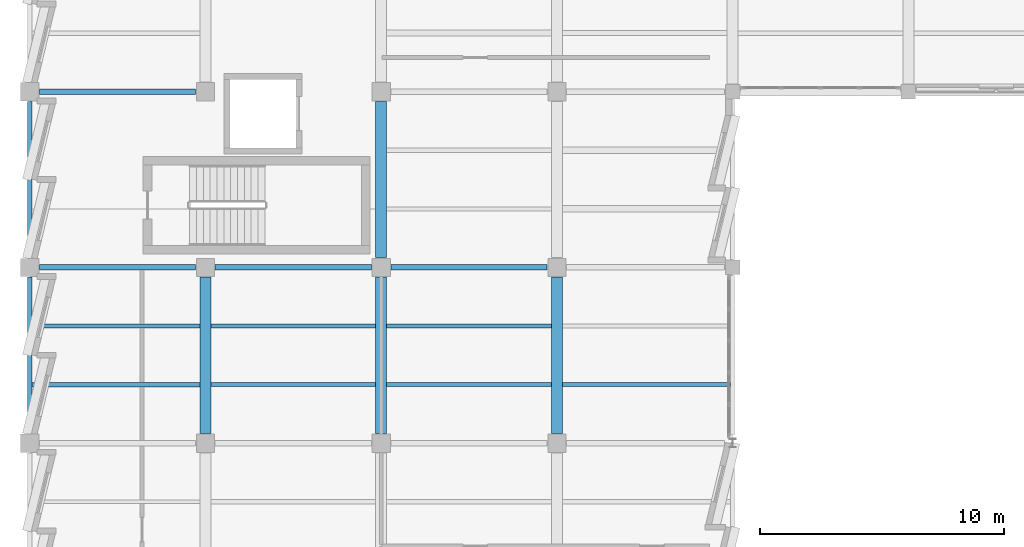
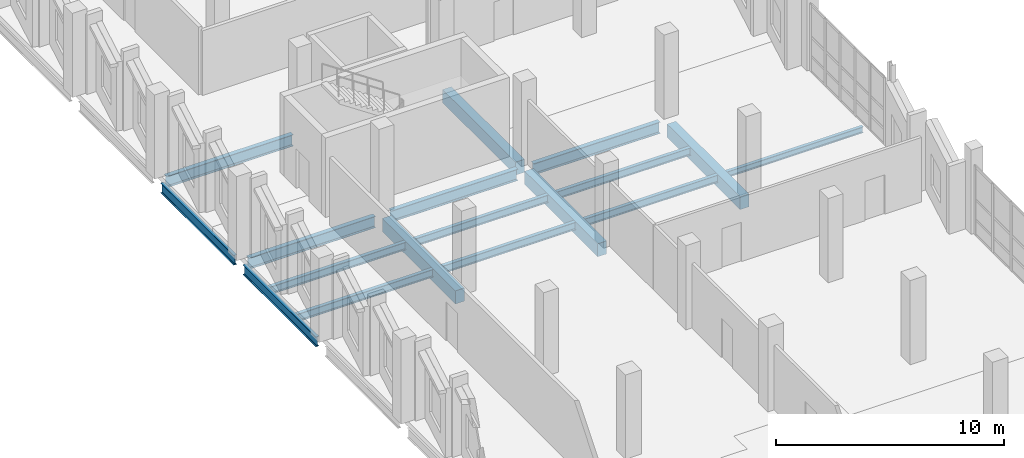
# One storey, part 45 of 123: 17 beams.
"""IFC4 building model written with IfcOpenShell, lengths in metres."""

from ifc_helpers import new_model, si_unit, direction, frame, origin, origin_2d, place, context, subcontext, project, spatial, rectangle, i_section, extrude, material, material_profile, profile_set, type_object, element, save


model = new_model("IFC4")

# Units and contexts
model_context = context("Model", 3, precision=1e-05, world=origin(), true_north=direction((0.0, 1.0)))
body_context = subcontext(model_context, "Body", "Model", "MODEL_VIEW")
ifc_project = project(units=[si_unit("LENGTHUNIT", "METRE"), si_unit("AREAUNIT", "SQUARE_METRE"), si_unit("VOLUMEUNIT", "CUBIC_METRE"), si_unit("PLANEANGLEUNIT", "RADIAN"), si_unit("MASSUNIT", "GRAM", prefix="KILO")], contexts=[model_context])

# Site, building, storey
site_placement = place(None, origin())
site = spatial("IfcSite", under=ifc_project, at=site_placement, CompositionType="ELEMENT")
building_placement = place(site_placement, origin())
building = spatial("IfcBuilding", under=site, at=building_placement, Name="Kalmorath City Hall", CompositionType="ELEMENT")
storey_placement = place(building_placement, frame((0.0, 0.0, 10.199951171875)))
storey = spatial("IfcBuildingStorey", under=building, at=storey_placement, Name="L02", CompositionType="ELEMENT", Elevation=10.199951171875)

# Beams
ifc_material_1 = material(Name="Concrete C40/50", Category="concrete")
ifc_material_profile_1 = material_profile(ifc_material_1, rectangle(XDim=0.449951171875, YDim=0.699951171875, at=origin_2d()), Name="RC-BM-450X700")
ifc_profile_set_1 = profile_set([ifc_material_profile_1], Name="Concrete C40/50")
beam_type_1 = type_object("IfcBeamType", Name="Concrete floor beam 450x700", PredefinedType="BEAM", material=ifc_profile_set_1)
for number, where, z_axis, x_axis, name in (
    (1, (7.199951171875, 79.60009765625, -0.634033203125), (0.0, 1.0, 0.0), (-1.0, 0.0, 0.0), "L02 girder CB4 Y2/12-13"),
    (2, (14.39990234375, 79.60009765625, -0.634033203125), (0.0, 1.0, 0.0), (-1.0, 0.0, 0.0), "L02 girder CB4 Y3/12-13"),
    (3, (14.39990234375, 86.800048828125, -0.634033203125), (0.0, 1.0, 0.0), (-1.0, 0.0, 0.0), "L02 girder CB4 Y3/13-14"),
    (4, (21.60009765625, 79.60009765625, -0.634033203125), (0.0, 1.0, 0.0), (-1.0, 0.0, 0.0), "L02 girder CB4 Y4/12-13"),
):
    element("IfcBeam", number, at=place(storey_placement, frame(where, z_axis=z_axis, x_axis=x_axis)), inside=storey, type_object=beam_type_1, Name=name, PredefinedType="BEAM", context=body_context, shape_type="SweptSolid", body=[
        extrude(rectangle(XDim=0.449951171875, YDim=0.699951171875, at=origin_2d()), origin(), (0.0, 0.0, 1.0), 6.39990234375),
    ])
ifc_material_2 = material(Name="Steel ASTM A992 Grade 50", Category="steel")
ifc_material_profile_2 = material_profile(ifc_material_2, i_section(OverallWidth=0.177001953125, OverallDepth=0.403076171875, WebThickness=0.007568359375, FlangeThickness=0.010986328125, FilletRadius=0.012939453125, at=origin_2d()), Name="W16X36")
ifc_profile_set_2 = profile_set([ifc_material_profile_2], Name="Steel ASTM A992 Grade 50")
beam_type_2 = type_object("IfcBeamType", Name="Steel composite joist W16X36", PredefinedType="JOIST", material=ifc_profile_set_2)
for number, where, z_axis, x_axis, name in (
    (5, (14.625, 81.60009765625, -0.4853515625), (1.0, 0.0, 0.0), (0.0, 1.0, 0.0), "L02 joist SJ7 3.12.1"),
    (6, (14.625, 84.0, -0.4853515625), (1.0, 0.0, 0.0), (0.0, 1.0, 0.0), "L02 joist SJ7 3.12.2"),
):
    element("IfcBeam", number, at=place(storey_placement, frame(where, z_axis=z_axis, x_axis=x_axis)), inside=storey, type_object=beam_type_2, Name=name, PredefinedType="JOIST", context=body_context, shape_type="SweptSolid", body=[
        extrude(i_section(OverallWidth=0.177001953125, OverallDepth=0.403076171875, WebThickness=0.007568359375, FlangeThickness=0.010986328125, FilletRadius=0.012939453125, at=origin_2d()), origin(), (0.0, 0.0, 1.0), 6.75),
    ])
ifc_material_3 = material(Name="Steel ASTM A992 Grade 50", Category="steel")
ifc_material_profile_3 = material_profile(ifc_material_3, i_section(OverallWidth=0.178955078125, OverallDepth=0.409912109375, WebThickness=0.0087890625, FlangeThickness=0.014404296875, FilletRadius=0.012939453125, at=origin_2d()), Name="W16X45")
ifc_profile_set_3 = profile_set([ifc_material_profile_3], Name="Steel ASTM A992 Grade 50")
beam_type_3 = type_object("IfcBeamType", Name="Steel composite joist W16X45", PredefinedType="JOIST", material=ifc_profile_set_3)
for number, where, z_axis, x_axis, name in (
    (7, (7.425048828125, 81.60009765625, -0.489013671875), (1.0, 0.0, 0.0), (0.0, 1.0, 0.0), "L02 joist SJ6 2.12.1"),
    (8, (7.425048828125, 84.0, -0.489013671875), (1.0, 0.0, 0.0), (0.0, 1.0, 0.0), "L02 joist SJ6 2.12.2"),
):
    element("IfcBeam", number, at=place(storey_placement, frame(where, z_axis=z_axis, x_axis=x_axis)), inside=storey, type_object=beam_type_3, Name=name, PredefinedType="JOIST", context=body_context, shape_type="SweptSolid", body=[
        extrude(i_section(OverallWidth=0.178955078125, OverallDepth=0.409912109375, WebThickness=0.0087890625, FlangeThickness=0.014404296875, FilletRadius=0.012939453125, at=origin_2d()), origin(), (0.0, 0.0, 1.0), 6.75),
    ])
ifc_material_4 = material(Name="Steel ASTM A992 Grade 50", Category="steel")
ifc_material_profile_4 = material_profile(ifc_material_4, i_section(OverallWidth=0.180908203125, OverallDepth=0.4169921875, WebThickness=0.010986328125, FlangeThickness=0.018310546875, FilletRadius=0.012939453125, at=origin_2d()), Name="W16X57")
ifc_profile_set_4 = profile_set([ifc_material_profile_4], Name="Steel ASTM A992 Grade 50")
beam_type_4 = type_object("IfcBeamType", Name="Steel composite joist W16X57", PredefinedType="JOIST", material=ifc_profile_set_4)
for number, where, z_axis, x_axis, name in (
    (9, (0.08251953125, 81.60009765625, -0.492431640625), (1.0, 0.0, 0.0), (0.0, 1.0, 0.0), "L02 joist SJ5 1.12.1"),
    (10, (0.08251953125, 84.0, -0.492431640625), (1.0, 0.0, 0.0), (0.0, 1.0, 0.0), "L02 joist SJ5 1.12.2"),
):
    element("IfcBeam", number, at=place(storey_placement, frame(where, z_axis=z_axis, x_axis=x_axis)), inside=storey, type_object=beam_type_4, Name=name, PredefinedType="JOIST", context=body_context, shape_type="SweptSolid", body=[
        extrude(i_section(OverallWidth=0.180908203125, OverallDepth=0.4169921875, WebThickness=0.010986328125, FlangeThickness=0.018310546875, FilletRadius=0.012939453125, at=origin_2d()), origin(), (0.0, 0.0, 1.0), 6.892578125),
    ])
ifc_material_5 = material(Name="Steel ASTM A992 Grade 50", Category="steel")
ifc_material_profile_5 = material_profile(ifc_material_5, i_section(OverallWidth=0.22900390625, OverallDepth=0.612060546875, WebThickness=0.011962890625, FlangeThickness=0.01953125, FilletRadius=0.01611328125, at=origin_2d()), Name="W24X84")
ifc_profile_set_5 = profile_set([ifc_material_profile_5], Name="Steel ASTM A992 Grade 50")
beam_type_5 = type_object("IfcBeamType", Name="Steel floor girder W24X84", PredefinedType="BEAM", material=ifc_profile_set_5)
beam_1_placement = place(storey_placement, frame((0.39990234375, 86.39990234375, -0.58984375), z_axis=(1.0, 0.0, 0.0), x_axis=(0.0, 1.0, 0.0)))
element("IfcBeam", 11, at=beam_1_placement, inside=storey, type_object=beam_type_5, Name="L02 girder SG8 X1-2/13", PredefinedType="BEAM", context=body_context, shape_type="SweptSolid", body=[
    extrude(i_section(OverallWidth=0.22900390625, OverallDepth=0.612060546875, WebThickness=0.011962890625, FlangeThickness=0.01953125, FilletRadius=0.01611328125, at=origin_2d()), origin(), (0.0, 0.0, 1.0), 6.400146484375),
])
for number, where, z_axis, x_axis, name in (
    (12, (7.60009765625, 86.39990234375, -0.58984375), (1.0, 0.0, 0.0), (0.0, 1.0, 0.0), "L02 girder SG8 X2-3/13"),
    (13, (14.800048828125, 86.39990234375, -0.58984375), (1.0, 0.0, 0.0), (0.0, 1.0, 0.0), "L02 girder SG8 X3-4/13"),
):
    element("IfcBeam", number, at=place(storey_placement, frame(where, z_axis=z_axis, x_axis=x_axis)), inside=storey, type_object=beam_type_5, Name=name, PredefinedType="BEAM", context=body_context, shape_type="SweptSolid", body=[
        extrude(i_section(OverallWidth=0.22900390625, OverallDepth=0.612060546875, WebThickness=0.011962890625, FlangeThickness=0.01953125, FilletRadius=0.01611328125, at=origin_2d()), origin(), (0.0, 0.0, 1.0), 6.39990234375),
    ])
beam_2_placement = place(storey_placement, frame((0.39990234375, 93.60009765625, -0.58984375), z_axis=(1.0, 0.0, 0.0), x_axis=(0.0, 1.0, 0.0)))
element("IfcBeam", 14, at=beam_2_placement, inside=storey, type_object=beam_type_5, Name="L02 girder SG8 X1-2/14", PredefinedType="BEAM", context=body_context, shape_type="SweptSolid", body=[
    extrude(i_section(OverallWidth=0.22900390625, OverallDepth=0.612060546875, WebThickness=0.011962890625, FlangeThickness=0.01953125, FilletRadius=0.01611328125, at=origin_2d()), origin(), (0.0, 0.0, 1.0), 6.400146484375),
])
ifc_material_6 = material(Name="Steel ASTM A992 Grade 50", Category="steel")
ifc_material_profile_6 = material_profile(ifc_material_6, i_section(OverallWidth=0.1669921875, OverallDepth=0.318115234375, WebThickness=0.007568359375, FlangeThickness=0.01318359375, FilletRadius=0.012939453125, at=origin_2d()), Name="W12X35")
ifc_profile_set_6 = profile_set([ifc_material_profile_6], Name="Steel ASTM A992 Grade 50")
beam_type_6 = type_object("IfcBeamType", Name="Steel header lintel W12X35", PredefinedType="LINTEL", material=ifc_profile_set_6)
beam_3_placement = place(storey_placement, frame((21.824951171875, 81.60009765625, -0.44287109375), z_axis=(1.0, 0.0, 0.0), x_axis=(0.0, 1.0, 0.0)))
element("IfcBeam", 15, at=beam_3_placement, inside=storey, type_object=beam_type_6, Name="L02 joist SJ13 4.12.1", PredefinedType="LINTEL", context=body_context, shape_type="SweptSolid", body=[
    extrude(i_section(OverallWidth=0.1669921875, OverallDepth=0.318115234375, WebThickness=0.007568359375, FlangeThickness=0.01318359375, FilletRadius=0.012939453125, at=origin_2d()), origin(), (0.0, 0.0, 1.0), 6.892578125),
])
ifc_material_7 = material(Name="Steel ASTM A992 Grade 50", Category="steel")
ifc_material_profile_7 = material_profile(ifc_material_7, i_section(OverallWidth=0.1650390625, OverallDepth=0.52490234375, WebThickness=0.0087890625, FlangeThickness=0.011474609375, FilletRadius=0.014892578125, at=origin_2d()), Name="W21X44")
ifc_profile_set_7 = profile_set([ifc_material_profile_7], Name="Steel ASTM A992 Grade 50")
beam_type_7 = type_object("IfcBeamType", Name="Steel spandrel beam W21X44", PredefinedType="SPANDREL", material=ifc_profile_set_7)
for number, where, z_axis, x_axis, name in (
    (16, (0.0, 79.60009765625, -0.54638671875), (0.0, 1.0, 0.0), (-1.0, 0.0, 0.0), "L02 girder SB4 Y1/12-13"),
    (17, (0.0, 86.800048828125, -0.54638671875), (0.0, 1.0, 0.0), (-1.0, 0.0, 0.0), "L02 girder SB4 Y1/13-14"),
):
    element("IfcBeam", number, at=place(storey_placement, frame(where, z_axis=z_axis, x_axis=x_axis)), inside=storey, type_object=beam_type_7, Name=name, PredefinedType="SPANDREL", context=body_context, shape_type="SweptSolid", body=[
        extrude(i_section(OverallWidth=0.1650390625, OverallDepth=0.52490234375, WebThickness=0.0087890625, FlangeThickness=0.011474609375, FilletRadius=0.014892578125, at=origin_2d()), origin(), (0.0, 0.0, 1.0), 6.39990234375),
    ])

save(model, "model.ifc")
